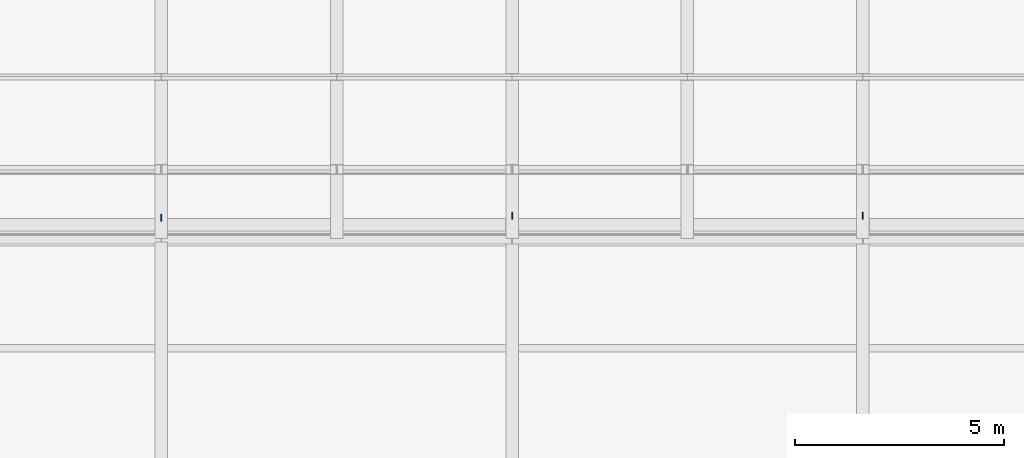
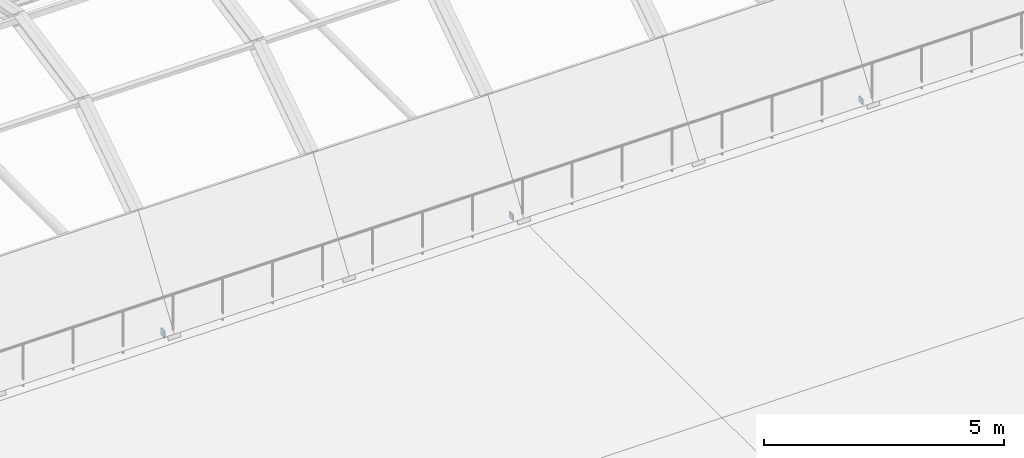
# One storey, part 43 of 58: 3 discrete accessories.
"""IFC4 building model written with IfcOpenShell, lengths in metres."""

from ifc_helpers import new_model, si_unit, direction, frame, origin, origin_2d, place, context, subcontext, project, spatial, rectangle, extrude, material, layer, layer_set, type_object, element, save


model = new_model("IFC4")

# Units and contexts
model_context = context("Model", 3, precision=1e-05, world=origin(), true_north=direction((0.0, 1.0)))
body_context = subcontext(model_context, "Body", "Model", "MODEL_VIEW")
ifc_project = project(units=[si_unit("LENGTHUNIT", "METRE"), si_unit("AREAUNIT", "SQUARE_METRE"), si_unit("VOLUMEUNIT", "CUBIC_METRE"), si_unit("PLANEANGLEUNIT", "RADIAN"), si_unit("MASSUNIT", "GRAM", prefix="KILO")], contexts=[model_context])

# Site, building, storey
site_placement = place(None, origin())
site = spatial("IfcSite", under=ifc_project, at=site_placement, CompositionType="ELEMENT")
building_placement = place(site_placement, origin())
building = spatial("IfcBuilding", under=site, at=building_placement, Name="Galleria Vessillo Department Store", CompositionType="ELEMENT")
storey_placement = place(building_placement, frame((0.0, 0.0, 31.199951171875)))
storey = spatial("IfcBuildingStorey", under=building, at=storey_placement, Name="L06", CompositionType="ELEMENT", Elevation=31.199951171875)

# Discrete accessories
ifc_material_1 = material(Name="Steel S355 J2", Category="steel")
ifc_layer_1 = layer(ifc_material_1, 0.02490234375)
ifc_layer_set_1 = layer_set([ifc_layer_1], Name="Steel S355 J2")
discrete_accessory_type_1 = type_object("IfcDiscreteAccessoryType", Name="Vault tie gusset and cap bracket CN15", PredefinedType="BRACKET", material=ifc_layer_set_1)
for number, where, z_axis, x_axis, name in (
    (1, (33.60009765625, 25.570068359375, -0.224853515625), (0.0, 0.0, 1.0), (1.0, 0.0, 0.0), "Vault tie connection bracket S-VT-0336 south"),
    (2, (42.0, 25.570068359375, -0.224853515625), (0.0, 0.0, 1.0), (1.0, 0.0, 0.0), "Vault tie connection bracket S-VT-0420 south"),
):
    element("IfcDiscreteAccessory", number, at=place(storey_placement, frame(where, z_axis=z_axis, x_axis=x_axis)), inside=storey, type_object=discrete_accessory_type_1, Name=name, PredefinedType="BRACKET", context=body_context, shape_type="SweptSolid", body=[
        extrude(rectangle(XDim=0.02490234375, YDim=0.159912109375, at=origin_2d()), origin(), (0.0, 0.0, 1.0), 0.14990234375),
    ])
ifc_material_2 = material(Name="Steel S355 J2", Category="steel")
ifc_layer_2 = layer(ifc_material_2, 0.030029296875)
ifc_layer_set_2 = layer_set([ifc_layer_2], Name="Steel S355 J2")
discrete_accessory_type_2 = type_object("IfcDiscreteAccessoryType", Name="Vault tie gusset bracket CN6", PredefinedType="BRACKET", material=ifc_layer_set_2)
discrete_accessory_placement = place(storey_placement, frame((25.199951171875, 25.52197265625, -0.23974609375), z_axis=(0.0, 0.0, 1.0), x_axis=(1.0, 0.0, 0.0)))
element("IfcDiscreteAccessory", 3, at=discrete_accessory_placement, inside=storey, type_object=discrete_accessory_type_2, Name="Vault tie connection bracket S-VT-0252 south", PredefinedType="BRACKET", context=body_context, shape_type="SweptSolid", body=[
    extrude(rectangle(XDim=0.030029296875, YDim=0.159912109375, at=origin_2d()), origin(), (0.0, 0.0, 1.0), 0.179931640625),
])

save(model, "model.ifc")
